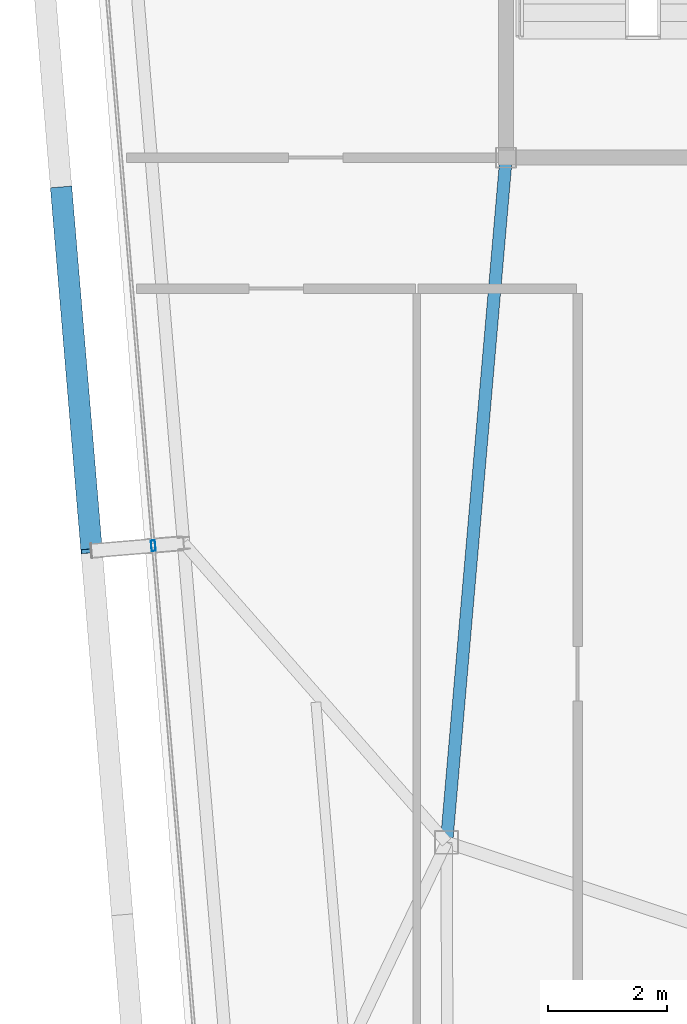
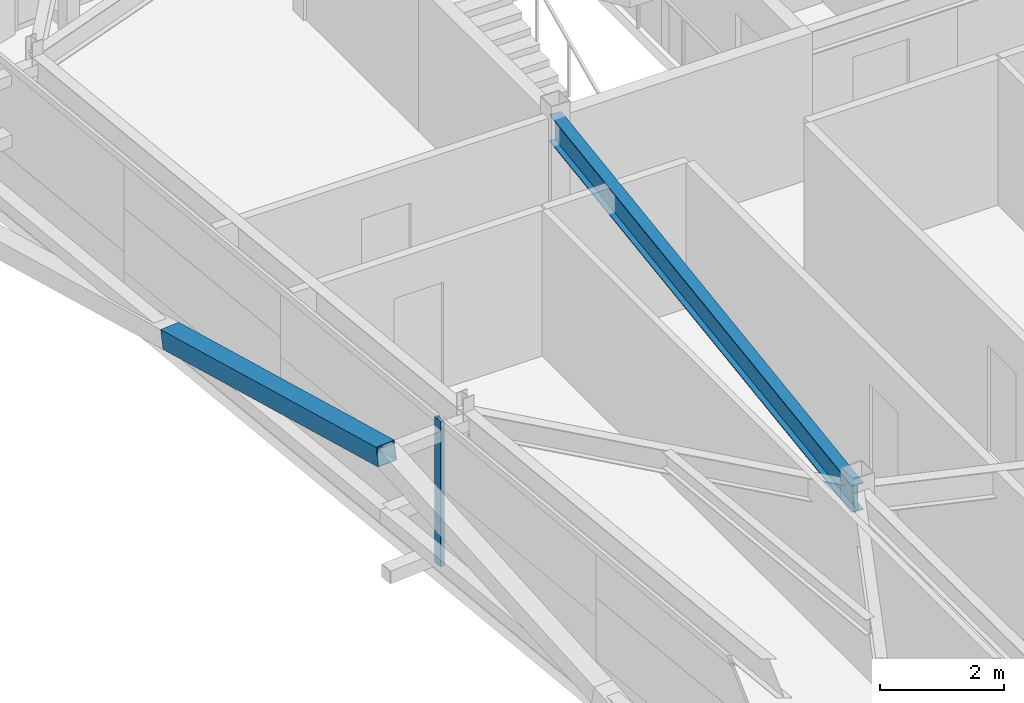
# One storey, part 12 of 39: 2 members, 1 beam, 1 element without a shape of its own.
"""IFC4 building model written with IfcOpenShell, lengths in metres."""

from ifc_helpers import new_model, si_unit, direction, frame, origin, origin_2d, place, context, subcontext, project, spatial, hollow_rectangle, i_section, extrude, source, transform, mapped, material, layer, layer_set, material_profile, profile_set, type_object, element, aggregate, save


model = new_model("IFC4")

# Units and contexts
model_context = context("Model", 3, precision=1e-05, world=origin(), true_north=direction((0.0, 1.0)))
body_context = subcontext(model_context, "Body", "Model", "MODEL_VIEW")
ifc_project = project(units=[si_unit("LENGTHUNIT", "METRE"), si_unit("AREAUNIT", "SQUARE_METRE"), si_unit("VOLUMEUNIT", "CUBIC_METRE"), si_unit("PLANEANGLEUNIT", "RADIAN"), si_unit("MASSUNIT", "GRAM", prefix="KILO")], contexts=[model_context])

# Site, building, storey
site_placement = place(None, origin())
site = spatial("IfcSite", under=ifc_project, at=site_placement, CompositionType="ELEMENT")
building_placement = place(site_placement, origin())
building = spatial("IfcBuilding", under=site, at=building_placement, Name="Taldren Reach Tower", CompositionType="ELEMENT")
storey_placement = place(building_placement, frame((0.0, 0.0, 204.050048828125)))
storey = spatial("IfcBuildingStorey", under=building, at=storey_placement, Name="L62", CompositionType="ELEMENT", Elevation=204.050048828125)

# Beam
ifc_material_1 = material(Name="Steel Gr 350 (350PLUS)", Category="steel")
ifc_material_profile_1 = material_profile(ifc_material_1, i_section(OverallWidth=0.208984375, OverallDepth=0.532958984375, WebThickness=0.01025390625, FlangeThickness=0.015625, at=origin_2d()), Name="530UB92.4")
ifc_profile_set_1 = profile_set([ifc_material_profile_1], Name="Steel Gr 350 (350PLUS)")
beam_type = type_object("IfcBeamType", Name="BM-UB530A", PredefinedType="BEAM", material=ifc_profile_set_1)
shared_shape_1 = source(origin(), body_context, "Body", "SweptSolid", [
    extrude(i_section(OverallWidth=0.208984375, OverallDepth=0.532958984375, WebThickness=0.01025390625, FlangeThickness=0.015625, at=origin_2d()), origin(), (0.0, 0.0, 1.0), 11.54345703125),
])
beam_placement = place(storey_placement, frame((19.0, 24.0, 2.603515625), z_axis=(-0.086629616365, -0.996240588196, 0.0), x_axis=(0.996240588196, -0.086629616365, 0.0)))
element("IfcBeam", 1, at=beam_placement, inside=storey, type_object=beam_type, Name="Core-spine girder L62-SP09", PredefinedType="BEAM", context=body_context, shape_type="MappedRepresentation", body=[
    mapped(shared_shape_1, transform((0.0, 0.0, 0.0), scale=1.0)),
])

# Member
ifc_material_2 = material(Name="Steel Gr 450 (C450L0)", Category="steel")
ifc_material_profile_2 = material_profile(ifc_material_2, hollow_rectangle(XDim=0.360107421875, YDim=0.360107421875, WallThickness=0.0126953125, at=origin_2d()), Name="360x360x12.7SHS")
ifc_profile_set_2 = profile_set([ifc_material_profile_2], Name="Steel Gr 450 (C450L0)")
member_type_1 = type_object("IfcMemberType", Name="MB-EXO356", PredefinedType="BRACE", material=ifc_profile_set_2)
shared_shape_2 = source(origin(), body_context, "Body", "SweptSolid", [
    extrude(hollow_rectangle(XDim=0.360107421875, YDim=0.360107421875, WallThickness=0.0126953125, at=origin_2d()), origin(), (0.0, 0.0, 1.0), 6.214111328125),
])
member_1_placement = place(storey_placement, frame((11.52783203125, 23.47412109375, 1.405029296875), z_axis=(0.082113718673, -0.97821405145, 0.190668840537), x_axis=(0.996495340012, 0.08364829547, 0.0)))
element("IfcMember", 2, at=member_1_placement, inside=storey, type_object=member_type_1, Name="Exoskeleton Diagrid Brace B4-W2 L62", PredefinedType="BRACE", context=body_context, shape_type="MappedRepresentation", body=[
    mapped(shared_shape_2, transform((0.0, 0.0, 0.0), scale=1.0)),
])

# Curtain wall, member
ifc_material_3 = material(Name="Aluminium and Low-E Glass Unitised System", Category="aluminium")
ifc_layer = layer(ifc_material_3, 0.159912109375)
ifc_layer_set = layer_set([ifc_layer], Name="Aluminium and Low-E Glass Unitised System")
curtain_wall_type = type_object("IfcCurtainWallType", Name="CW-SYS-5", PredefinedType="NOTDEFINED", material=ifc_layer_set)
curtain_wall_placement = place(storey_placement, origin())
curtain_wall = element("IfcCurtainWall", 3, at=curtain_wall_placement, inside=storey, type_object=curtain_wall_type, Name="Unitised curtain wall CW-L62-W", PredefinedType="NOTDEFINED")
ifc_material_4 = material(Name="Anodised Aluminium 6063-T6", Category="aluminium")
ifc_material_profile_3 = material_profile(ifc_material_4, hollow_rectangle(XDim=0.070068359375, YDim=0.179931640625, WallThickness=0.00390625, at=origin_2d()), Name="ALU-180x70x4RHS")
ifc_profile_set_3 = profile_set([ifc_material_profile_3], Name="Anodised Aluminium 6063-T6")
member_type_2 = type_object("IfcMemberType", Name="CW-MUL-180", PredefinedType="MULLION", material=ifc_profile_set_3)
shared_shape_3 = source(origin(), body_context, "Body", "SweptSolid", [
    extrude(hollow_rectangle(XDim=0.070068359375, YDim=0.179931640625, WallThickness=0.00390625, at=origin_2d()), origin(), (0.0, 0.0, 1.0), 2.869873046875),
])
member_2_placement = place(storey_placement, frame((13.074462890625, 17.482421875, 0.0), z_axis=(0.0, 0.0, 1.0), x_axis=(0.996492847789, 0.083677979808, 0.0)))
member_2 = element("IfcMember", 4, at=member_2_placement, type_object=member_type_2, Name="CW-5 mullion 2", PredefinedType="MULLION", context=body_context, shape_type="MappedRepresentation", body=[
    mapped(shared_shape_3, transform((0.0, 0.0, 0.0), scale=1.0)),
])
aggregate(curtain_wall, [member_2])

save(model, "model.ifc")
